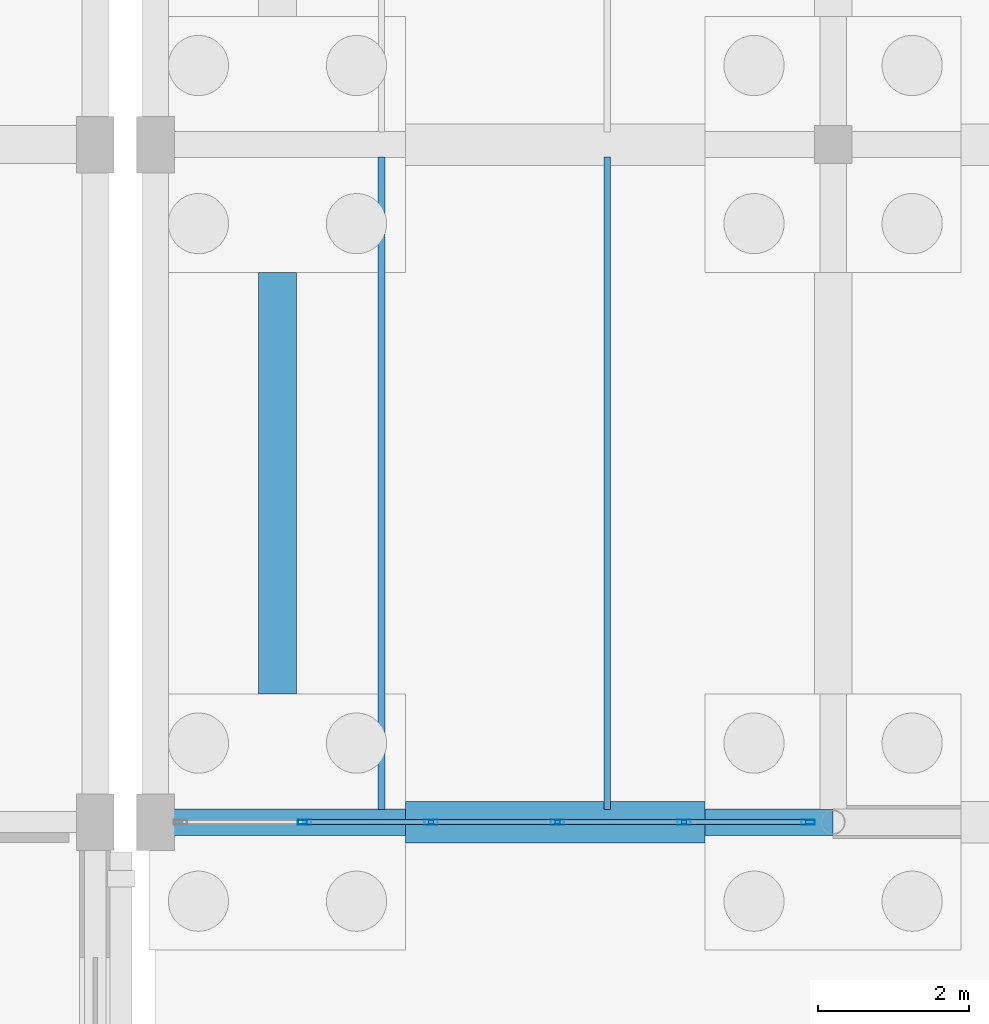
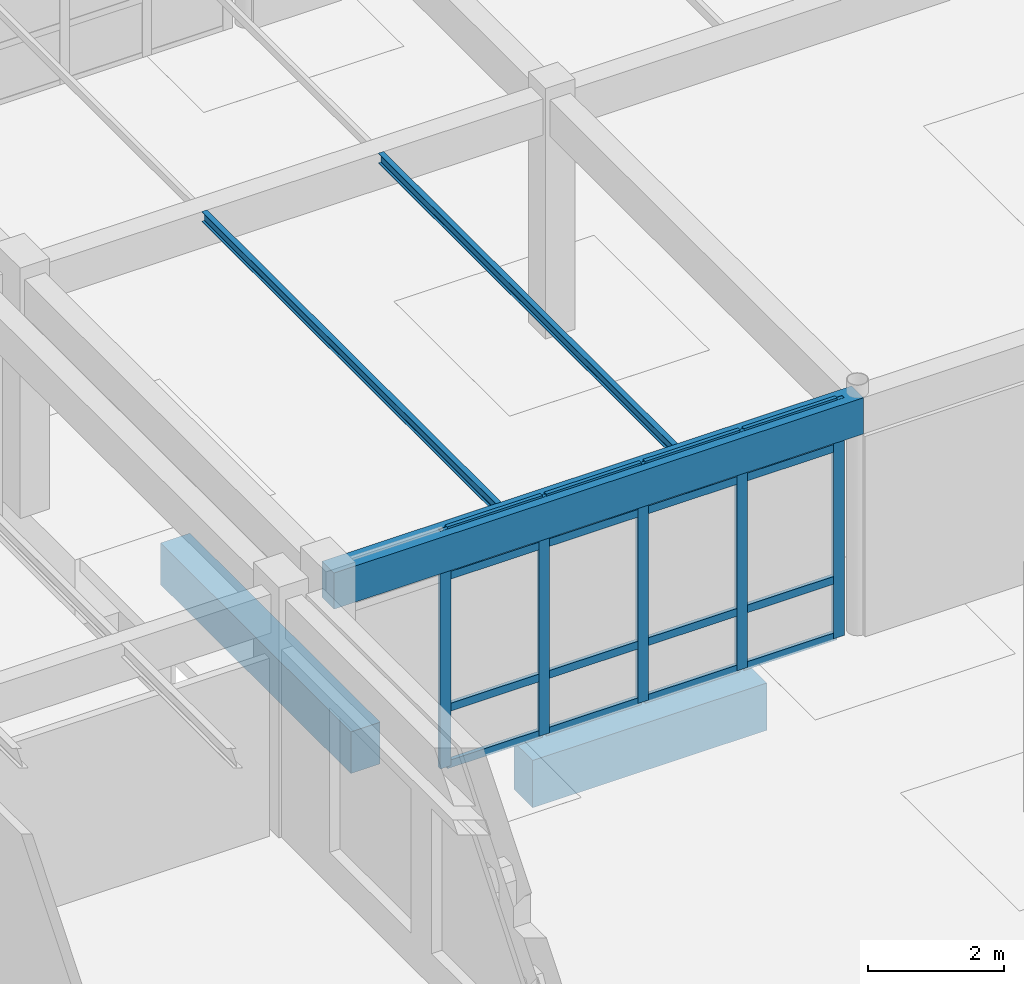
# One storey, part 123 of 186: 21 members, 5 beams, 1 element without a shape of its own.
"""IFC4 building model written with IfcOpenShell, lengths in metres."""

from ifc_helpers import new_model, si_unit, direction, frame, origin, origin_2d, place, context, subcontext, project, spatial, rectangle, hollow_rectangle, i_section, extrude, material, layer, layer_set, material_profile, profile_set, type_object, element, aggregate, save


model = new_model("IFC4")

# Units and contexts
model_context = context("Model", 3, precision=1e-05, world=origin(), true_north=direction((0.0, 1.0)))
body_context = subcontext(model_context, "Body", "Model", "MODEL_VIEW")
ifc_project = project(units=[si_unit("LENGTHUNIT", "METRE"), si_unit("AREAUNIT", "SQUARE_METRE"), si_unit("VOLUMEUNIT", "CUBIC_METRE"), si_unit("PLANEANGLEUNIT", "RADIAN"), si_unit("MASSUNIT", "GRAM", prefix="KILO")], contexts=[model_context])

# Site, building, storey
site_placement = place(None, origin())
site = spatial("IfcSite", under=ifc_project, at=site_placement, CompositionType="ELEMENT")
building_placement = place(site_placement, origin())
building = spatial("IfcBuilding", under=site, at=building_placement, Name="Ornek Quay Market", CompositionType="ELEMENT")
storey_placement = place(building_placement, origin())
storey = spatial("IfcBuildingStorey", under=building, at=storey_placement, Name="L00", CompositionType="ELEMENT", Elevation=0.0)

# Beams
ifc_material_1 = material(Name="Concrete C35/45", Category="concrete")
ifc_material_profile_1 = material_profile(ifc_material_1, rectangle(XDim=0.35009765625, YDim=0.64990234375, at=origin_2d()), Name="RC 350x650", Category="concrete")
ifc_profile_set_1 = profile_set([ifc_material_profile_1], Name="Concrete C35/45")
beam_type_1 = type_object("IfcBeamType", Name="BM-CONC-350x650", PredefinedType="BEAM", material=ifc_profile_set_1)
beam_1_placement = place(storey_placement, frame((126.0, 92.0, 3.945068359375), z_axis=(1.0, 0.0, 0.0), x_axis=(0.0, 1.0, 0.0)))
element("IfcBeam", 1, at=beam_1_placement, inside=storey, type_object=beam_type_1, Name="Primary beam B-CN1-073", PredefinedType="BEAM", context=body_context, shape_type="SweptSolid", body=[
    extrude(rectangle(XDim=0.35009765625, YDim=0.64990234375, at=origin_2d()), origin(), (0.0, 0.0, 1.0), 9.0),
])
ifc_material_profile_2 = material_profile(ifc_material_1, rectangle(XDim=0.5, YDim=0.75, at=origin_2d()), Name="RC 500x750", Category="concrete")
ifc_profile_set_2 = profile_set([ifc_material_profile_2], Name="Concrete C35/45")
beam_type_2 = type_object("IfcBeamType", Name="BM-GB-500x750", PredefinedType="BEAM", material=ifc_profile_set_2)
beam_2_placement = place(storey_placement, frame((127.6201171875, 93.699951171875, -0.574951171875), z_axis=(0.0, 1.0, 0.0), x_axis=(-1.0, 0.0, 0.0)))
element("IfcBeam", 2, at=beam_2_placement, inside=storey, type_object=beam_type_2, Name="Ground tie beam GB-363", PredefinedType="BEAM", context=body_context, shape_type="SweptSolid", body=[
    extrude(rectangle(XDim=0.5, YDim=0.75, at=origin_2d()), origin(), (0.0, 0.0, 1.0), 5.60009765625),
])
ifc_material_profile_3 = material_profile(ifc_material_1, rectangle(XDim=0.550048828125, YDim=0.85009765625, at=origin_2d()), Name="RC 550x850", Category="concrete")
ifc_profile_set_3 = profile_set([ifc_material_profile_3], Name="Concrete C35/45")
beam_type_3 = type_object("IfcBeamType", Name="BM-GB-550x850", PredefinedType="BEAM", material=ifc_profile_set_3)
beam_3_placement = place(storey_placement, frame((129.320068359375, 92.0, -0.625), z_axis=(1.0, 0.0, 0.0), x_axis=(0.0, 1.0, 0.0)))
element("IfcBeam", 3, at=beam_3_placement, inside=storey, type_object=beam_type_3, Name="Ground tie beam GB-342", PredefinedType="BEAM", context=body_context, shape_type="SweptSolid", body=[
    extrude(rectangle(XDim=0.550048828125, YDim=0.85009765625, at=origin_2d()), origin(), (0.0, 0.0, 1.0), 3.97998046875),
])
ifc_material_2 = material(Name="Steel S355", Category="steel")
ifc_material_profile_4 = material_profile(ifc_material_2, i_section(OverallWidth=0.091064453125, OverallDepth=0.179931640625, WebThickness=0.00537109375, FlangeThickness=0.008056640625, FilletRadius=0.009033203125, at=origin_2d()), Name="IPE 180", Category="steel")
ifc_profile_set_4 = profile_set([ifc_material_profile_4], Name="Steel S355")
beam_type_4 = type_object("IfcBeamType", Name="BM-STL-IPE180", PredefinedType="JOIST", material=ifc_profile_set_4)
for number, where, z_axis, x_axis, name in (
    (4, (129.0, 92.1669921875, 4.179931640625), (0.0, 1.0, 0.0), (-1.0, 0.0, 0.0), "Secondary joist SB-01-009"),
    (5, (132.0, 92.1669921875, 4.179931640625), (0.0, 1.0, 0.0), (-1.0, 0.0, 0.0), "Secondary joist SB-01-010"),
):
    element("IfcBeam", number, at=place(storey_placement, frame(where, z_axis=z_axis, x_axis=x_axis)), inside=storey, type_object=beam_type_4, Name=name, PredefinedType="JOIST", context=body_context, shape_type="SweptSolid", body=[
        extrude(i_section(OverallWidth=0.091064453125, OverallDepth=0.179931640625, WebThickness=0.00537109375, FlangeThickness=0.008056640625, FilletRadius=0.009033203125, at=origin_2d()), origin(), (0.0, 0.0, 1.0), 8.666015625),
    ])

# Curtain wall, members
ifc_material_3 = material(Name="Anodised bronze aluminium and triple low-e glass", Category="aluminium")
ifc_layer = layer(ifc_material_3, 0.199951171875, Name="Anodised bronze aluminium and triple low-e glass", Category="aluminium")
ifc_layer_set = layer_set([ifc_layer], Name="Anodised bronze aluminium and triple low-e glass")
curtain_wall_type = type_object("IfcCurtainWallType", Name="CW-CONC-MOD1800", PredefinedType="USERDEFINED", material=ifc_layer_set)
curtain_wall_placement = place(storey_placement, origin())
curtain_wall = element("IfcCurtainWall", 6, at=curtain_wall_placement, inside=storey, type_object=curtain_wall_type, Name="Curtain wall CW-026", ObjectType="CURTAIN WALL", PredefinedType="USERDEFINED")
ifc_material_4 = material(Name="Anodised aluminium 6063-T6", Category="aluminium")
ifc_material_profile_5 = material_profile(ifc_material_4, hollow_rectangle(XDim=0.06494140625, YDim=0.179931640625, WallThickness=0.00439453125, at=origin_2d()), Name="CW-MUL-65x180", Category="aluminium")
ifc_profile_set_5 = profile_set([ifc_material_profile_5], Name="Anodised aluminium 6063-T6")
member_type_1 = type_object("IfcMemberType", Name="CW-MUL-65x180", PredefinedType="MULLION", material=ifc_profile_set_5)
member_1_placement = place(storey_placement, frame((127.97998046875, 92.0, 0.0), z_axis=(0.0, 0.0, 1.0), x_axis=(0.0, 1.0, 0.0)))
member_1 = element("IfcMember", 7, at=member_1_placement, type_object=member_type_1, Name="CW-026 mullion 2", PredefinedType="MULLION", context=body_context, shape_type="SweptSolid", body=[
    extrude(hollow_rectangle(XDim=0.06494140625, YDim=0.179931640625, WallThickness=0.00439453125, at=origin_2d()), origin(), (0.0, 0.0, 1.0), 4.27001953125),
])
member_2_placement = place(storey_placement, frame((129.659912109375, 92.0, 0.0), z_axis=(0.0, 0.0, 1.0), x_axis=(0.0, 1.0, 0.0)))
member_2 = element("IfcMember", 8, at=member_2_placement, type_object=member_type_1, Name="CW-026 mullion 3", PredefinedType="MULLION", context=body_context, shape_type="SweptSolid", body=[
    extrude(hollow_rectangle(XDim=0.06494140625, YDim=0.179931640625, WallThickness=0.00439453125, at=origin_2d()), origin(), (0.0, 0.0, 1.0), 4.27001953125),
])
member_3_placement = place(storey_placement, frame((131.340087890625, 92.0, 0.0), z_axis=(0.0, 0.0, 1.0), x_axis=(0.0, 1.0, 0.0)))
member_3 = element("IfcMember", 9, at=member_3_placement, type_object=member_type_1, Name="CW-026 mullion 4", PredefinedType="MULLION", context=body_context, shape_type="SweptSolid", body=[
    extrude(hollow_rectangle(XDim=0.06494140625, YDim=0.179931640625, WallThickness=0.00439453125, at=origin_2d()), origin(), (0.0, 0.0, 1.0), 4.27001953125),
])
member_4_placement = place(storey_placement, frame((133.02001953125, 92.0, 0.0), z_axis=(0.0, 0.0, 1.0), x_axis=(0.0, 1.0, 0.0)))
member_4 = element("IfcMember", 10, at=member_4_placement, type_object=member_type_1, Name="CW-026 mullion 5", PredefinedType="MULLION", context=body_context, shape_type="SweptSolid", body=[
    extrude(hollow_rectangle(XDim=0.06494140625, YDim=0.179931640625, WallThickness=0.00439453125, at=origin_2d()), origin(), (0.0, 0.0, 1.0), 4.27001953125),
])
member_5_placement = place(storey_placement, frame((134.66748046875, 92.0, 0.0), z_axis=(0.0, 0.0, 1.0), x_axis=(0.0, 1.0, 0.0)))
member_5 = element("IfcMember", 11, at=member_5_placement, type_object=member_type_1, Name="CW-026 mullion 6", PredefinedType="MULLION", context=body_context, shape_type="SweptSolid", body=[
    extrude(hollow_rectangle(XDim=0.06494140625, YDim=0.179931640625, WallThickness=0.00439453125, at=origin_2d()), origin(), (0.0, 0.0, 1.0), 4.27001953125),
])
ifc_material_profile_6 = material_profile(ifc_material_4, hollow_rectangle(XDim=0.06494140625, YDim=0.139892578125, WallThickness=0.00439453125, at=origin_2d()), Name="CW-TRN-65x140", Category="aluminium")
ifc_profile_set_6 = profile_set([ifc_material_profile_6], Name="Anodised aluminium 6063-T6")
member_type_2 = type_object("IfcMemberType", Name="CW-TRN-65x140", PredefinedType="USERDEFINED", material=ifc_profile_set_6)
member_6_placement = place(storey_placement, frame((128.012451171875, 92.0, 0.032470703125), z_axis=(1.0, 0.0, 0.0), x_axis=(0.0, 1.0, 0.0)))
member_6 = element("IfcMember", 12, at=member_6_placement, type_object=member_type_2, Name="CW-026 transom 2.1", ObjectType="TRANSOM", PredefinedType="USERDEFINED", context=body_context, shape_type="SweptSolid", body=[
    extrude(hollow_rectangle(XDim=0.06494140625, YDim=0.139892578125, WallThickness=0.00439453125, at=origin_2d()), origin(), (0.0, 0.0, 1.0), 1.614990234375),
])
member_7_placement = place(storey_placement, frame((128.012451171875, 92.0, 1.050048828125), z_axis=(1.0, 0.0, 0.0), x_axis=(0.0, 1.0, 0.0)))
member_7 = element("IfcMember", 13, at=member_7_placement, type_object=member_type_2, Name="CW-026 transom 2.2", ObjectType="TRANSOM", PredefinedType="USERDEFINED", context=body_context, shape_type="SweptSolid", body=[
    extrude(hollow_rectangle(XDim=0.06494140625, YDim=0.139892578125, WallThickness=0.00439453125, at=origin_2d()), origin(), (0.0, 0.0, 1.0), 1.614990234375),
])
member_8_placement = place(storey_placement, frame((128.012451171875, 92.0, 3.419921875), z_axis=(1.0, 0.0, 0.0), x_axis=(0.0, 1.0, 0.0)))
member_8 = element("IfcMember", 14, at=member_8_placement, type_object=member_type_2, Name="CW-026 transom 2.3", ObjectType="TRANSOM", PredefinedType="USERDEFINED", context=body_context, shape_type="SweptSolid", body=[
    extrude(hollow_rectangle(XDim=0.06494140625, YDim=0.139892578125, WallThickness=0.00439453125, at=origin_2d()), origin(), (0.0, 0.0, 1.0), 1.614990234375),
])
member_9_placement = place(storey_placement, frame((128.012451171875, 92.0, 4.237548828125), z_axis=(1.0, 0.0, 0.0), x_axis=(0.0, 1.0, 0.0)))
member_9 = element("IfcMember", 15, at=member_9_placement, type_object=member_type_2, Name="CW-026 transom 2.4", ObjectType="TRANSOM", PredefinedType="USERDEFINED", context=body_context, shape_type="SweptSolid", body=[
    extrude(hollow_rectangle(XDim=0.06494140625, YDim=0.139892578125, WallThickness=0.00439453125, at=origin_2d()), origin(), (0.0, 0.0, 1.0), 1.614990234375),
])
member_10_placement = place(storey_placement, frame((129.6923828125, 92.0, 0.032470703125), z_axis=(1.0, 0.0, 0.0), x_axis=(0.0, 1.0, 0.0)))
member_10 = element("IfcMember", 16, at=member_10_placement, type_object=member_type_2, Name="CW-026 transom 3.1", ObjectType="TRANSOM", PredefinedType="USERDEFINED", context=body_context, shape_type="SweptSolid", body=[
    extrude(hollow_rectangle(XDim=0.06494140625, YDim=0.139892578125, WallThickness=0.00439453125, at=origin_2d()), origin(), (0.0, 0.0, 1.0), 1.615234375),
])
member_11_placement = place(storey_placement, frame((129.6923828125, 92.0, 1.050048828125), z_axis=(1.0, 0.0, 0.0), x_axis=(0.0, 1.0, 0.0)))
member_11 = element("IfcMember", 17, at=member_11_placement, type_object=member_type_2, Name="CW-026 transom 3.2", ObjectType="TRANSOM", PredefinedType="USERDEFINED", context=body_context, shape_type="SweptSolid", body=[
    extrude(hollow_rectangle(XDim=0.06494140625, YDim=0.139892578125, WallThickness=0.00439453125, at=origin_2d()), origin(), (0.0, 0.0, 1.0), 1.615234375),
])
member_12_placement = place(storey_placement, frame((129.6923828125, 92.0, 3.419921875), z_axis=(1.0, 0.0, 0.0), x_axis=(0.0, 1.0, 0.0)))
member_12 = element("IfcMember", 18, at=member_12_placement, type_object=member_type_2, Name="CW-026 transom 3.3", ObjectType="TRANSOM", PredefinedType="USERDEFINED", context=body_context, shape_type="SweptSolid", body=[
    extrude(hollow_rectangle(XDim=0.06494140625, YDim=0.139892578125, WallThickness=0.00439453125, at=origin_2d()), origin(), (0.0, 0.0, 1.0), 1.615234375),
])
member_13_placement = place(storey_placement, frame((129.6923828125, 92.0, 4.237548828125), z_axis=(1.0, 0.0, 0.0), x_axis=(0.0, 1.0, 0.0)))
member_13 = element("IfcMember", 19, at=member_13_placement, type_object=member_type_2, Name="CW-026 transom 3.4", ObjectType="TRANSOM", PredefinedType="USERDEFINED", context=body_context, shape_type="SweptSolid", body=[
    extrude(hollow_rectangle(XDim=0.06494140625, YDim=0.139892578125, WallThickness=0.00439453125, at=origin_2d()), origin(), (0.0, 0.0, 1.0), 1.615234375),
])
member_14_placement = place(storey_placement, frame((131.37255859375, 92.0, 0.032470703125), z_axis=(1.0, 0.0, 0.0), x_axis=(0.0, 1.0, 0.0)))
member_14 = element("IfcMember", 20, at=member_14_placement, type_object=member_type_2, Name="CW-026 transom 4.1", ObjectType="TRANSOM", PredefinedType="USERDEFINED", context=body_context, shape_type="SweptSolid", body=[
    extrude(hollow_rectangle(XDim=0.06494140625, YDim=0.139892578125, WallThickness=0.00439453125, at=origin_2d()), origin(), (0.0, 0.0, 1.0), 1.614990234375),
])
member_15_placement = place(storey_placement, frame((131.37255859375, 92.0, 1.050048828125), z_axis=(1.0, 0.0, 0.0), x_axis=(0.0, 1.0, 0.0)))
member_15 = element("IfcMember", 21, at=member_15_placement, type_object=member_type_2, Name="CW-026 transom 4.2", ObjectType="TRANSOM", PredefinedType="USERDEFINED", context=body_context, shape_type="SweptSolid", body=[
    extrude(hollow_rectangle(XDim=0.06494140625, YDim=0.139892578125, WallThickness=0.00439453125, at=origin_2d()), origin(), (0.0, 0.0, 1.0), 1.614990234375),
])
member_16_placement = place(storey_placement, frame((131.37255859375, 92.0, 3.419921875), z_axis=(1.0, 0.0, 0.0), x_axis=(0.0, 1.0, 0.0)))
member_16 = element("IfcMember", 22, at=member_16_placement, type_object=member_type_2, Name="CW-026 transom 4.3", ObjectType="TRANSOM", PredefinedType="USERDEFINED", context=body_context, shape_type="SweptSolid", body=[
    extrude(hollow_rectangle(XDim=0.06494140625, YDim=0.139892578125, WallThickness=0.00439453125, at=origin_2d()), origin(), (0.0, 0.0, 1.0), 1.614990234375),
])
member_17_placement = place(storey_placement, frame((131.37255859375, 92.0, 4.237548828125), z_axis=(1.0, 0.0, 0.0), x_axis=(0.0, 1.0, 0.0)))
member_17 = element("IfcMember", 23, at=member_17_placement, type_object=member_type_2, Name="CW-026 transom 4.4", ObjectType="TRANSOM", PredefinedType="USERDEFINED", context=body_context, shape_type="SweptSolid", body=[
    extrude(hollow_rectangle(XDim=0.06494140625, YDim=0.139892578125, WallThickness=0.00439453125, at=origin_2d()), origin(), (0.0, 0.0, 1.0), 1.614990234375),
])
member_18_placement = place(storey_placement, frame((133.052490234375, 92.0, 0.032470703125), z_axis=(1.0, 0.0, 0.0), x_axis=(0.0, 1.0, 0.0)))
member_18 = element("IfcMember", 24, at=member_18_placement, type_object=member_type_2, Name="CW-026 transom 5.1", ObjectType="TRANSOM", PredefinedType="USERDEFINED", context=body_context, shape_type="SweptSolid", body=[
    extrude(hollow_rectangle(XDim=0.06494140625, YDim=0.139892578125, WallThickness=0.00439453125, at=origin_2d()), origin(), (0.0, 0.0, 1.0), 1.58251953125),
])
member_19_placement = place(storey_placement, frame((133.052490234375, 92.0, 1.050048828125), z_axis=(1.0, 0.0, 0.0), x_axis=(0.0, 1.0, 0.0)))
member_19 = element("IfcMember", 25, at=member_19_placement, type_object=member_type_2, Name="CW-026 transom 5.2", ObjectType="TRANSOM", PredefinedType="USERDEFINED", context=body_context, shape_type="SweptSolid", body=[
    extrude(hollow_rectangle(XDim=0.06494140625, YDim=0.139892578125, WallThickness=0.00439453125, at=origin_2d()), origin(), (0.0, 0.0, 1.0), 1.58251953125),
])
member_20_placement = place(storey_placement, frame((133.052490234375, 92.0, 3.419921875), z_axis=(1.0, 0.0, 0.0), x_axis=(0.0, 1.0, 0.0)))
member_20 = element("IfcMember", 26, at=member_20_placement, type_object=member_type_2, Name="CW-026 transom 5.3", ObjectType="TRANSOM", PredefinedType="USERDEFINED", context=body_context, shape_type="SweptSolid", body=[
    extrude(hollow_rectangle(XDim=0.06494140625, YDim=0.139892578125, WallThickness=0.00439453125, at=origin_2d()), origin(), (0.0, 0.0, 1.0), 1.58251953125),
])
member_21_placement = place(storey_placement, frame((133.052490234375, 92.0, 4.237548828125), z_axis=(1.0, 0.0, 0.0), x_axis=(0.0, 1.0, 0.0)))
member_21 = element("IfcMember", 27, at=member_21_placement, type_object=member_type_2, Name="CW-026 transom 5.4", ObjectType="TRANSOM", PredefinedType="USERDEFINED", context=body_context, shape_type="SweptSolid", body=[
    extrude(hollow_rectangle(XDim=0.06494140625, YDim=0.139892578125, WallThickness=0.00439453125, at=origin_2d()), origin(), (0.0, 0.0, 1.0), 1.58251953125),
])
aggregate(curtain_wall, [member_1, member_2, member_3, member_4, member_5, member_6, member_7, member_8, member_9, member_10, member_11, member_12, member_13, member_14, member_15, member_16, member_17, member_18, member_19, member_20, member_21])

save(model, "model.ifc")
